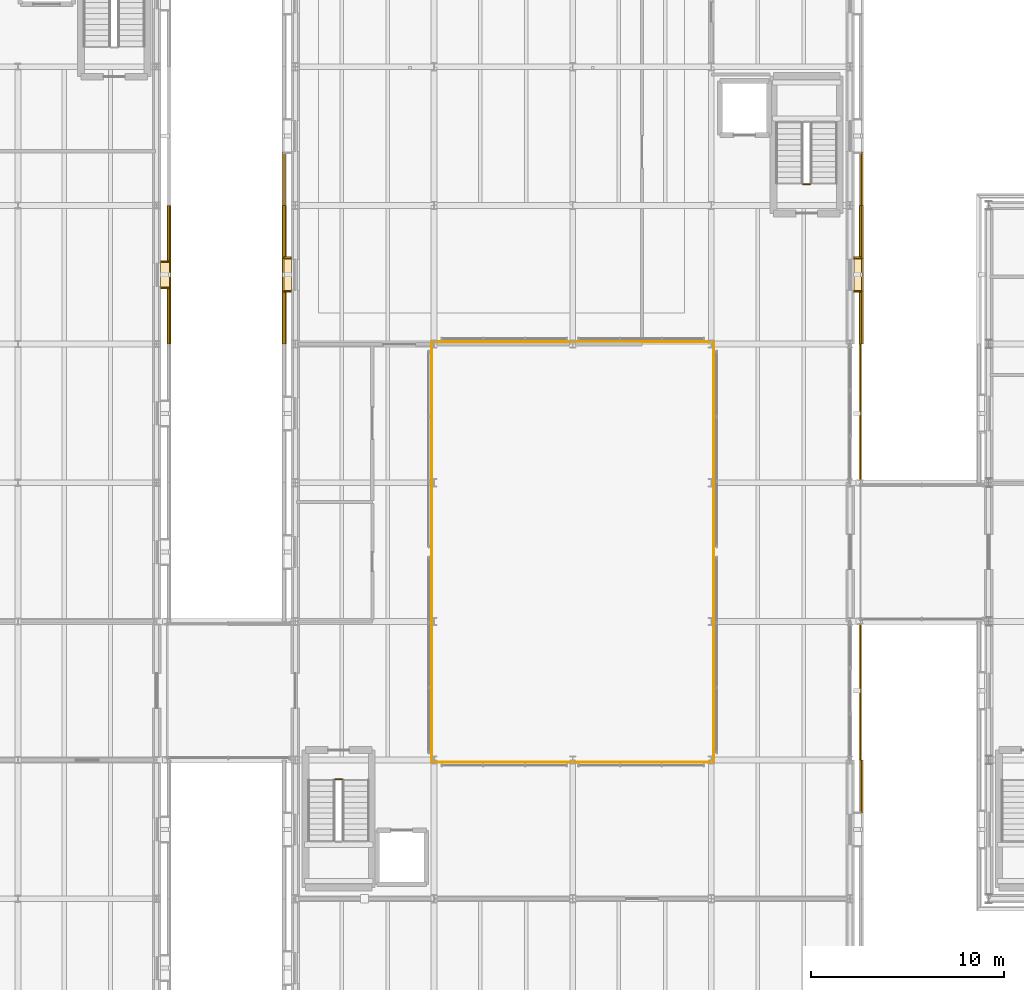
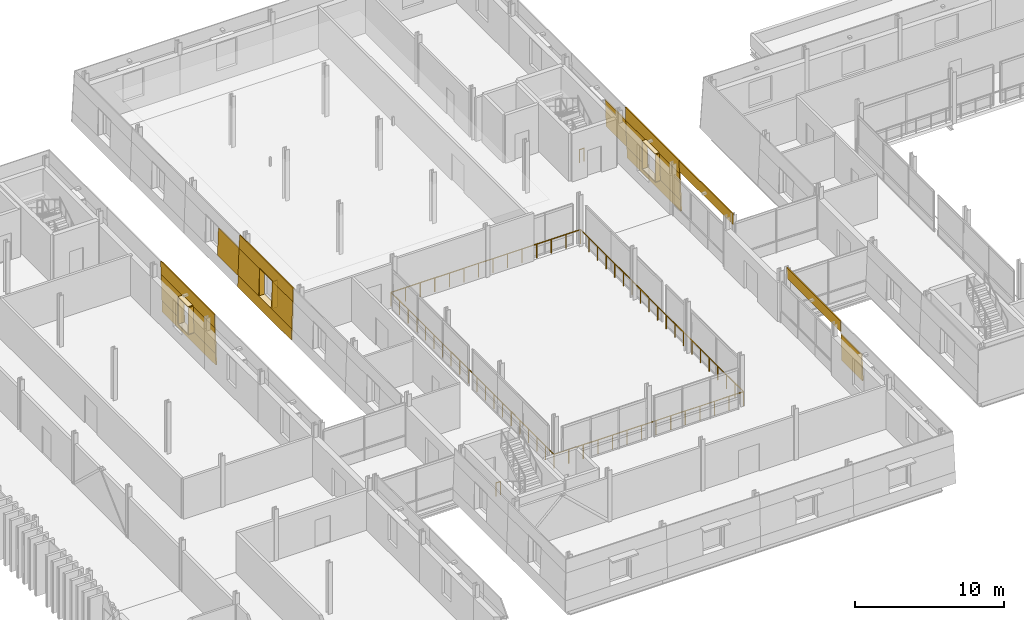
# One storey, part 101 of 115: 29 coverings, 6 railings.
"""IFC4 building model written with IfcOpenShell, lengths in metres."""

from ifc_helpers import new_model, si_unit, direction, frame, origin, origin_2d, place, context, subcontext, project, spatial, polyline, circle, outline, extrude, material, layer, layer_set, type_object, element, save


model = new_model("IFC4")

# Units and contexts
model_context = context("Model", 3, precision=1e-05, world=origin(), true_north=direction((0.0, 1.0)))
body_context = subcontext(model_context, "Body", "Model", "MODEL_VIEW")
ifc_project = project(units=[si_unit("LENGTHUNIT", "METRE"), si_unit("AREAUNIT", "SQUARE_METRE"), si_unit("VOLUMEUNIT", "CUBIC_METRE"), si_unit("PLANEANGLEUNIT", "RADIAN"), si_unit("MASSUNIT", "GRAM", prefix="KILO")], contexts=[model_context])

# Site, building, storey
site_placement = place(None, origin())
site = spatial("IfcSite", under=ifc_project, at=site_placement, CompositionType="ELEMENT")
building_placement = place(site_placement, origin())
building = spatial("IfcBuilding", under=site, at=building_placement, Name="Narikvali Park Central Library", CompositionType="ELEMENT")
storey_placement = place(building_placement, frame((0.0, 0.0, 10.199951171875)))
storey = spatial("IfcBuildingStorey", under=building, at=storey_placement, Name="L02", CompositionType="ELEMENT", Elevation=10.199951171875)

# Railings
ifc_material_1 = material(Name="Laminated Tempered Glass and Stainless Steel", Category="steel")
ifc_layer_1 = layer(ifc_material_1, 0.06005859375, Name="Laminated Tempered Glass and Stainless Steel")
ifc_layer_set_1 = layer_set([ifc_layer_1], Name="Laminated Tempered Glass and Stainless Steel")
railing_type_1 = type_object("IfcRailingType", Name="Atrium Void Tempered Glass Guardrail 1150", PredefinedType="GUARDRAIL", material=ifc_layer_set_1)
railing_1_placement = place(storey_placement, frame((35.8798828125, 64.679931640625, 0.0)))
element("IfcRailing", 1, at=railing_1_placement, inside=storey, type_object=railing_type_1, Name="V4 L02 Void Edge Guardrail S", PredefinedType="GUARDRAIL", context=body_context, shape_type="SweptSolid", body=[
    extrude(circle(Radius=0.02392578125, at=origin_2d()), frame((0.0, 0.0, 1.1259765625), z_axis=(1.0, 0.0, 0.0), x_axis=(0.0, 1.0, 0.0)), (0.0, 0.0, 1.0), 14.64013671875),
    extrude(circle(Radius=0.02099609375, at=origin_2d()), origin(), (0.0, 0.0, 1.0), 1.101806640625),
    extrude(circle(Radius=0.02099609375, at=origin_2d()), frame((1.126220703125, 0.0, 0.0)), (0.0, 0.0, 1.0), 1.101806640625),
    extrude(circle(Radius=0.02099609375, at=origin_2d()), frame((2.25244140625, 0.0, 0.0)), (0.0, 0.0, 1.0), 1.101806640625),
    extrude(circle(Radius=0.02099609375, at=origin_2d()), frame((3.37841796875, 0.0, 0.0)), (0.0, 0.0, 1.0), 1.101806640625),
    extrude(circle(Radius=0.02099609375, at=origin_2d()), frame((4.504638671875, 0.0, 0.0)), (0.0, 0.0, 1.0), 1.101806640625),
    extrude(circle(Radius=0.02099609375, at=origin_2d()), frame((5.630859375, 0.0, 0.0)), (0.0, 0.0, 1.0), 1.101806640625),
    extrude(circle(Radius=0.02099609375, at=origin_2d()), frame((6.757080078125, 0.0, 0.0)), (0.0, 0.0, 1.0), 1.101806640625),
    extrude(circle(Radius=0.02099609375, at=origin_2d()), frame((7.883056640625, 0.0, 0.0)), (0.0, 0.0, 1.0), 1.101806640625),
    extrude(circle(Radius=0.02099609375, at=origin_2d()), frame((9.00927734375, 0.0, 0.0)), (0.0, 0.0, 1.0), 1.101806640625),
    extrude(circle(Radius=0.02099609375, at=origin_2d()), frame((10.135498046875, 0.0, 0.0)), (0.0, 0.0, 1.0), 1.101806640625),
    extrude(circle(Radius=0.02099609375, at=origin_2d()), frame((11.26171875, 0.0, 0.0)), (0.0, 0.0, 1.0), 1.101806640625),
    extrude(circle(Radius=0.02099609375, at=origin_2d()), frame((12.3876953125, 0.0, 0.0)), (0.0, 0.0, 1.0), 1.101806640625),
    extrude(circle(Radius=0.02099609375, at=origin_2d()), frame((13.513916015625, 0.0, 0.0)), (0.0, 0.0, 1.0), 1.101806640625),
    extrude(circle(Radius=0.02099609375, at=origin_2d()), frame((14.64013671875, 0.0, 0.0)), (0.0, 0.0, 1.0), 1.101806640625),
])
railing_2_placement = place(storey_placement, frame((50.52001953125, 64.679931640625, 0.0)))
element("IfcRailing", 2, at=railing_2_placement, inside=storey, type_object=railing_type_1, Name="V4 L02 Void Edge Guardrail E", PredefinedType="GUARDRAIL", context=body_context, shape_type="SweptSolid", body=[
    extrude(circle(Radius=0.02392578125, at=origin_2d()), frame((0.0, 0.0, 1.1259765625), z_axis=(0.0, 1.0, 0.0), x_axis=(-1.0, 0.0, 0.0)), (0.0, 0.0, 1.0), 21.840087890625),
    extrude(circle(Radius=0.02099609375, at=origin_2d()), origin(), (0.0, 0.0, 1.0), 1.101806640625),
    extrude(circle(Radius=0.02099609375, at=origin_2d()), frame((0.0, 1.1494140625, 0.0)), (0.0, 0.0, 1.0), 1.101806640625),
    extrude(circle(Radius=0.02099609375, at=origin_2d()), frame((0.0, 2.299072265625, 0.0)), (0.0, 0.0, 1.0), 1.101806640625),
    extrude(circle(Radius=0.02099609375, at=origin_2d()), frame((0.0, 3.448486328125, 0.0)), (0.0, 0.0, 1.0), 1.101806640625),
    extrude(circle(Radius=0.02099609375, at=origin_2d()), frame((0.0, 4.597900390625, 0.0)), (0.0, 0.0, 1.0), 1.101806640625),
    extrude(circle(Radius=0.02099609375, at=origin_2d()), frame((0.0, 5.747314453125, 0.0)), (0.0, 0.0, 1.0), 1.101806640625),
    extrude(circle(Radius=0.02099609375, at=origin_2d()), frame((0.0, 6.89697265625, 0.0)), (0.0, 0.0, 1.0), 1.101806640625),
    extrude(circle(Radius=0.02099609375, at=origin_2d()), frame((0.0, 8.04638671875, 0.0)), (0.0, 0.0, 1.0), 1.101806640625),
    extrude(circle(Radius=0.02099609375, at=origin_2d()), frame((0.0, 9.19580078125, 0.0)), (0.0, 0.0, 1.0), 1.101806640625),
    extrude(circle(Radius=0.02099609375, at=origin_2d()), frame((0.0, 10.34521484375, 0.0)), (0.0, 0.0, 1.0), 1.101806640625),
    extrude(circle(Radius=0.02099609375, at=origin_2d()), frame((0.0, 11.494873046875, 0.0)), (0.0, 0.0, 1.0), 1.101806640625),
    extrude(circle(Radius=0.02099609375, at=origin_2d()), frame((0.0, 12.644287109375, 0.0)), (0.0, 0.0, 1.0), 1.101806640625),
    extrude(circle(Radius=0.02099609375, at=origin_2d()), frame((0.0, 13.793701171875, 0.0)), (0.0, 0.0, 1.0), 1.101806640625),
    extrude(circle(Radius=0.02099609375, at=origin_2d()), frame((0.0, 14.943115234375, 0.0)), (0.0, 0.0, 1.0), 1.101806640625),
    extrude(circle(Radius=0.02099609375, at=origin_2d()), frame((0.0, 16.0927734375, 0.0)), (0.0, 0.0, 1.0), 1.101806640625),
    extrude(circle(Radius=0.02099609375, at=origin_2d()), frame((0.0, 17.2421875, 0.0)), (0.0, 0.0, 1.0), 1.101806640625),
    extrude(circle(Radius=0.02099609375, at=origin_2d()), frame((0.0, 18.3916015625, 0.0)), (0.0, 0.0, 1.0), 1.101806640625),
    extrude(circle(Radius=0.02099609375, at=origin_2d()), frame((0.0, 19.541015625, 0.0)), (0.0, 0.0, 1.0), 1.101806640625),
    extrude(circle(Radius=0.02099609375, at=origin_2d()), frame((0.0, 20.690673828125, 0.0)), (0.0, 0.0, 1.0), 1.101806640625),
    extrude(circle(Radius=0.02099609375, at=origin_2d()), frame((0.0, 21.840087890625, 0.0)), (0.0, 0.0, 1.0), 1.101806640625),
])
railing_3_placement = place(storey_placement, frame((50.52001953125, 86.52001953125, 0.0)))
element("IfcRailing", 3, at=railing_3_placement, inside=storey, type_object=railing_type_1, Name="V4 L02 Void Edge Guardrail N", PredefinedType="GUARDRAIL", context=body_context, shape_type="SweptSolid", body=[
    extrude(circle(Radius=0.02392578125, at=origin_2d()), frame((0.0, 0.0, 1.1259765625), z_axis=(-1.0, 0.0, 0.0), x_axis=(0.0, -1.0, 0.0)), (0.0, 0.0, 1.0), 14.64013671875),
    extrude(circle(Radius=0.02099609375, at=origin_2d()), origin(), (0.0, 0.0, 1.0), 1.101806640625),
    extrude(circle(Radius=0.02099609375, at=origin_2d()), frame((-1.126220703125, 0.0, 0.0)), (0.0, 0.0, 1.0), 1.101806640625),
    extrude(circle(Radius=0.02099609375, at=origin_2d()), frame((-2.25244140625, 0.0, 0.0)), (0.0, 0.0, 1.0), 1.101806640625),
    extrude(circle(Radius=0.02099609375, at=origin_2d()), frame((-3.37841796875, 0.0, 0.0)), (0.0, 0.0, 1.0), 1.101806640625),
    extrude(circle(Radius=0.02099609375, at=origin_2d()), frame((-4.504638671875, 0.0, 0.0)), (0.0, 0.0, 1.0), 1.101806640625),
    extrude(circle(Radius=0.02099609375, at=origin_2d()), frame((-5.630859375, 0.0, 0.0)), (0.0, 0.0, 1.0), 1.101806640625),
    extrude(circle(Radius=0.02099609375, at=origin_2d()), frame((-6.757080078125, 0.0, 0.0)), (0.0, 0.0, 1.0), 1.101806640625),
    extrude(circle(Radius=0.02099609375, at=origin_2d()), frame((-7.883056640625, 0.0, 0.0)), (0.0, 0.0, 1.0), 1.101806640625),
    extrude(circle(Radius=0.02099609375, at=origin_2d()), frame((-9.00927734375, 0.0, 0.0)), (0.0, 0.0, 1.0), 1.101806640625),
    extrude(circle(Radius=0.02099609375, at=origin_2d()), frame((-10.135498046875, 0.0, 0.0)), (0.0, 0.0, 1.0), 1.101806640625),
    extrude(circle(Radius=0.02099609375, at=origin_2d()), frame((-11.26171875, 0.0, 0.0)), (0.0, 0.0, 1.0), 1.101806640625),
    extrude(circle(Radius=0.02099609375, at=origin_2d()), frame((-12.3876953125, 0.0, 0.0)), (0.0, 0.0, 1.0), 1.101806640625),
    extrude(circle(Radius=0.02099609375, at=origin_2d()), frame((-13.513916015625, 0.0, 0.0)), (0.0, 0.0, 1.0), 1.101806640625),
    extrude(circle(Radius=0.02099609375, at=origin_2d()), frame((-14.64013671875, 0.0, 0.0)), (0.0, 0.0, 1.0), 1.101806640625),
])
railing_4_placement = place(storey_placement, frame((35.8798828125, 86.52001953125, 0.0)))
element("IfcRailing", 4, at=railing_4_placement, inside=storey, type_object=railing_type_1, Name="V4 L02 Void Edge Guardrail W", PredefinedType="GUARDRAIL", context=body_context, shape_type="SweptSolid", body=[
    extrude(circle(Radius=0.02392578125, at=origin_2d()), frame((0.0, 0.0, 1.1259765625), z_axis=(0.0, -1.0, 0.0), x_axis=(1.0, 0.0, 0.0)), (0.0, 0.0, 1.0), 21.840087890625),
    extrude(circle(Radius=0.02099609375, at=origin_2d()), origin(), (0.0, 0.0, 1.0), 1.101806640625),
    extrude(circle(Radius=0.02099609375, at=origin_2d()), frame((0.0, -1.1494140625, 0.0)), (0.0, 0.0, 1.0), 1.101806640625),
    extrude(circle(Radius=0.02099609375, at=origin_2d()), frame((0.0, -2.299072265625, 0.0)), (0.0, 0.0, 1.0), 1.101806640625),
    extrude(circle(Radius=0.02099609375, at=origin_2d()), frame((0.0, -3.448486328125, 0.0)), (0.0, 0.0, 1.0), 1.101806640625),
    extrude(circle(Radius=0.02099609375, at=origin_2d()), frame((0.0, -4.597900390625, 0.0)), (0.0, 0.0, 1.0), 1.101806640625),
    extrude(circle(Radius=0.02099609375, at=origin_2d()), frame((0.0, -5.747314453125, 0.0)), (0.0, 0.0, 1.0), 1.101806640625),
    extrude(circle(Radius=0.02099609375, at=origin_2d()), frame((0.0, -6.89697265625, 0.0)), (0.0, 0.0, 1.0), 1.101806640625),
    extrude(circle(Radius=0.02099609375, at=origin_2d()), frame((0.0, -8.04638671875, 0.0)), (0.0, 0.0, 1.0), 1.101806640625),
    extrude(circle(Radius=0.02099609375, at=origin_2d()), frame((0.0, -9.19580078125, 0.0)), (0.0, 0.0, 1.0), 1.101806640625),
    extrude(circle(Radius=0.02099609375, at=origin_2d()), frame((0.0, -10.34521484375, 0.0)), (0.0, 0.0, 1.0), 1.101806640625),
    extrude(circle(Radius=0.02099609375, at=origin_2d()), frame((0.0, -11.494873046875, 0.0)), (0.0, 0.0, 1.0), 1.101806640625),
    extrude(circle(Radius=0.02099609375, at=origin_2d()), frame((0.0, -12.644287109375, 0.0)), (0.0, 0.0, 1.0), 1.101806640625),
    extrude(circle(Radius=0.02099609375, at=origin_2d()), frame((0.0, -13.793701171875, 0.0)), (0.0, 0.0, 1.0), 1.101806640625),
    extrude(circle(Radius=0.02099609375, at=origin_2d()), frame((0.0, -14.943115234375, 0.0)), (0.0, 0.0, 1.0), 1.101806640625),
    extrude(circle(Radius=0.02099609375, at=origin_2d()), frame((0.0, -16.0927734375, 0.0)), (0.0, 0.0, 1.0), 1.101806640625),
    extrude(circle(Radius=0.02099609375, at=origin_2d()), frame((0.0, -17.2421875, 0.0)), (0.0, 0.0, 1.0), 1.101806640625),
    extrude(circle(Radius=0.02099609375, at=origin_2d()), frame((0.0, -18.3916015625, 0.0)), (0.0, 0.0, 1.0), 1.101806640625),
    extrude(circle(Radius=0.02099609375, at=origin_2d()), frame((0.0, -19.541015625, 0.0)), (0.0, 0.0, 1.0), 1.101806640625),
    extrude(circle(Radius=0.02099609375, at=origin_2d()), frame((0.0, -20.690673828125, 0.0)), (0.0, 0.0, 1.0), 1.101806640625),
    extrude(circle(Radius=0.02099609375, at=origin_2d()), frame((0.0, -21.840087890625, 0.0)), (0.0, 0.0, 1.0), 1.101806640625),
])

# Coverings
ifc_material_2 = material(Name="White Honed Limestone Cladding", Category="masonry")
ifc_layer_2 = layer(ifc_material_2, 0.0849609375, Name="White Honed Limestone Cladding")
ifc_layer_set_2 = layer_set([ifc_layer_2], Name="White Honed Limestone Cladding")
covering_type_1 = type_object("IfcCoveringType", Name="Battered White Limestone Facade Cladding Panel", PredefinedType="CLADDING", material=ifc_layer_set_2)
covering_1_placement = place(storey_placement, frame((58.265380859375, 62.0400390625, 0.920166015625), z_axis=(0.999435139525, 0.0, 0.033606574995), x_axis=(0.0, 1.0, 0.0)))
element("IfcCovering", 5, at=covering_1_placement, inside=storey, type_object=covering_type_1, Name="V4 L02 E Battered Limestone Jamb Pier R B02", PredefinedType="CLADDING", context=body_context, shape_type="SweptSolid", body=[
    extrude(outline(polyline([(0.0, 0.0), (2.760009765625, 0.0), (2.760009765625, 2.201194539668489), (0.0, 2.201194539668489), (0.0, 0.0)])), origin(), (0.0, 0.0, -1.0), 0.0849609375),
])
for number, where, z_axis, x_axis, name in (
    (6, (58.185302734375, 64.800048828125, 3.300048828125), (0.999425480231, 0.0, 0.033892616665), (0.0, 1.0, 0.0), "V4 L02 E Battered Limestone Spandrel Header B03"),
    (7, (58.185302734375, 79.199951171875, 3.300048828125), (0.999425480231, 0.0, 0.033892616665), (0.0, 1.0, 0.0), "V4 L02 E Battered Limestone Spandrel Header B05"),
):
    element("IfcCovering", number, at=place(storey_placement, frame(where, z_axis=z_axis, x_axis=x_axis)), inside=storey, type_object=covering_type_1, Name=name, PredefinedType="CLADDING", context=body_context, shape_type="SweptSolid", body=[
        extrude(outline(polyline([(0.0, 0.0), (7.199951171875, 0.0), (7.199951171875, 0.9004196526405666), (0.0, 0.9004196526405666), (0.0, 0.0)])), origin(), (0.0, 0.0, -1.0), 0.0849609375),
    ])
covering_2_placement = place(storey_placement, frame((58.29638671875, 86.39990234375, 0.0), z_axis=(0.999432774777, 0.0, 0.03367682738), x_axis=(0.0, 1.0, 0.0)))
element("IfcCovering", 8, at=covering_2_placement, inside=storey, type_object=covering_type_1, Name="V4 L02 E Battered Limestone Spandrel B06", PredefinedType="CLADDING", context=body_context, shape_type="SweptSolid", body=[
    extrude(outline(polyline([(0.0, 0.0), (7.2001953125, 0.0), (7.2001953125, 0.9206882532251457), (0.0, 0.9206882532251457), (0.0, 0.0)])), origin(), (0.0, 0.0, -1.0), 0.0849609375),
])
covering_3_placement = place(storey_placement, frame((58.19140625, 86.39990234375, 3.1201171875), z_axis=(0.999425428317, 0.0, 0.033894147467), x_axis=(0.0, 1.0, 0.0)))
element("IfcCovering", 9, at=covering_3_placement, inside=storey, type_object=covering_type_1, Name="V4 L02 E Battered Limestone Lintel B06", PredefinedType="CLADDING", context=body_context, shape_type="SweptSolid", body=[
    extrude(outline(polyline([(0.0, 0.0), (7.2001953125, 0.0), (7.2001953125, 1.0804547830976703), (0.0, 1.0804547830976703), (0.0, 0.0)])), origin(), (0.0, 0.0, -1.0), 0.0849609375),
])
for number, where, z_axis, x_axis, name in (
    (10, (58.265380859375, 86.39990234375, 0.920166015625), (0.999435139525, 0.0, 0.033606574995), (0.0, 1.0, 0.0), "V4 L02 E Battered Limestone Jamb Pier L B06"),
    (11, (58.265380859375, 90.840087890625, 0.920166015625), (0.999435139525, 0.0, 0.033606574995), (0.0, 1.0, 0.0), "V4 L02 E Battered Limestone Jamb Pier R B06"),
    (12, (58.265380859375, 93.60009765625, 0.920166015625), (0.999435139525, 0.0, 0.033606574995), (0.0, 1.0, 0.0), "V4 L02 E Battered Limestone Jamb Pier L B07"),
):
    element("IfcCovering", number, at=place(storey_placement, frame(where, z_axis=z_axis, x_axis=x_axis)), inside=storey, type_object=covering_type_1, Name=name, PredefinedType="CLADDING", context=body_context, shape_type="SweptSolid", body=[
        extrude(outline(polyline([(0.0, 0.0), (2.760009765625, 0.0), (2.760009765625, 2.201194539668489), (0.0, 2.201194539668489), (0.0, 0.0)])), origin(), (0.0, 0.0, -1.0), 0.0849609375),
    ])
covering_4_placement = place(storey_placement, frame((28.134521484375, 96.360107421875, 0.920166015625), z_axis=(-0.999431408105, 0.0, 0.033717361898), x_axis=(0.0, -1.0, 0.0)))
element("IfcCovering", 13, at=covering_4_placement, inside=storey, type_object=covering_type_1, Name="V4 L02 W Battered Limestone Jamb Pier R B03", PredefinedType="CLADDING", context=body_context, shape_type="SweptSolid", body=[
    extrude(outline(polyline([(0.0, 0.0), (2.760009765625, 0.0), (2.760009765625, 2.2012027579225295), (0.0, 2.2012027579225295), (0.0, 0.0)])), origin(), (0.0, 0.0, -1.0), 0.0849609375),
])
covering_5_placement = place(storey_placement, frame((28.103515625, 93.60009765625, 0.0), z_axis=(-0.999432774777, 0.0, 0.03367682738), x_axis=(0.0, -1.0, 0.0)))
element("IfcCovering", 14, at=covering_5_placement, inside=storey, type_object=covering_type_1, Name="V4 L02 W Battered Limestone Spandrel B04", PredefinedType="CLADDING", context=body_context, shape_type="SweptSolid", body=[
    extrude(outline(polyline([(0.0, 0.0), (7.2001953125, 0.0), (7.2001953125, 0.9206882532251457), (0.0, 0.9206882532251457), (0.0, 0.0)])), origin(), (0.0, 0.0, -1.0), 0.0849609375),
])
covering_6_placement = place(storey_placement, frame((28.208740234375, 93.60009765625, 3.1201171875), z_axis=(-0.999433057245, 0.0, 0.033668443484), x_axis=(0.0, -1.0, 0.0)))
element("IfcCovering", 15, at=covering_6_placement, inside=storey, type_object=covering_type_1, Name="V4 L02 W Battered Limestone Lintel B04", PredefinedType="CLADDING", context=body_context, shape_type="SweptSolid", body=[
    extrude(outline(polyline([(0.0, 0.0), (7.2001953125, 0.0), (7.2001953125, 1.0804465357109745), (0.0, 1.0804465357109745), (0.0, 0.0)])), origin(), (0.0, 0.0, -1.0), 0.0849609375),
])
for number, where, z_axis, x_axis, name in (
    (16, (28.134521484375, 93.60009765625, 0.920166015625), (-0.999431408105, 0.0, 0.033717361898), (0.0, -1.0, 0.0), "V4 L02 W Battered Limestone Jamb Pier L B04"),
    (17, (28.134521484375, 89.159912109375, 0.920166015625), (-0.999431408105, 0.0, 0.033717361898), (0.0, -1.0, 0.0), "V4 L02 W Battered Limestone Jamb Pier R B04"),
):
    element("IfcCovering", number, at=place(storey_placement, frame(where, z_axis=z_axis, x_axis=x_axis)), inside=storey, type_object=covering_type_1, Name=name, PredefinedType="CLADDING", context=body_context, shape_type="SweptSolid", body=[
        extrude(outline(polyline([(0.0, 0.0), (2.760009765625, 0.0), (2.760009765625, 2.2012027579225295), (0.0, 2.2012027579225295), (0.0, 0.0)])), origin(), (0.0, 0.0, -1.0), 0.0849609375),
    ])
covering_7_placement = place(storey_placement, frame((22.3505859375, 86.39990234375, 0.0), z_axis=(0.999600632529, 0.0, 0.02825907725), x_axis=(0.0, 1.0, 0.0)))
element("IfcCovering", 18, at=covering_7_placement, inside=storey, type_object=covering_type_1, Name="V5 L02 E Battered Limestone Spandrel B09", PredefinedType="CLADDING", context=body_context, shape_type="SweptSolid", body=[
    extrude(outline(polyline([(0.0, 0.0), (7.2001953125, 0.0), (7.2001953125, 0.950330703044192), (0.0, 0.950330703044192), (0.0, 0.0)])), origin(), (0.0, 0.0, -1.0), 0.0849609375),
])
covering_8_placement = place(storey_placement, frame((22.2626953125, 86.39990234375, 3.10009765625), z_axis=(0.999596598509, 0.0, 0.028401412788), x_axis=(0.0, 1.0, 0.0)))
element("IfcCovering", 19, at=covering_8_placement, inside=storey, type_object=covering_type_1, Name="V5 L02 E Battered Limestone Lintel B09", PredefinedType="CLADDING", context=body_context, shape_type="SweptSolid", body=[
    extrude(outline(polyline([(0.0, 0.0), (7.2001953125, 0.0), (7.2001953125, 1.1002973772270257), (0.0, 1.1002973772270257), (0.0, 0.0)])), origin(), (0.0, 0.0, -1.0), 0.0849609375),
])
for number, where, z_axis, x_axis, name in (
    (20, (22.32373046875, 86.39990234375, 0.949951171875), (0.99959734633, 0.0, 0.028375080797), (0.0, 1.0, 0.0), "V5 L02 E Battered Limestone Jamb Pier L B09"),
    (21, (22.32373046875, 90.639892578125, 0.949951171875), (0.99959734633, 0.0, 0.028375080797), (0.0, 1.0, 0.0), "V5 L02 E Battered Limestone Jamb Pier R B09"),
):
    element("IfcCovering", number, at=place(storey_placement, frame(where, z_axis=z_axis, x_axis=x_axis)), inside=storey, type_object=covering_type_1, Name=name, PredefinedType="CLADDING", context=body_context, shape_type="SweptSolid", body=[
        extrude(outline(polyline([(0.0, 0.0), (2.960205078125, 0.0), (2.960205078125, 2.1510125974918495), (0.0, 2.1510125974918495), (0.0, 0.0)])), origin(), (0.0, 0.0, -1.0), 0.0849609375),
    ])
ifc_layer_3 = layer(ifc_material_2, 0.080078125, Name="White Honed Limestone Cladding")
ifc_layer_set_3 = layer_set([ifc_layer_3], Name="White Honed Limestone Cladding")
covering_type_2 = type_object("IfcCoveringType", Name="Deep Carved White Limestone Window Reveal", PredefinedType="CLADDING", material=ifc_layer_set_3)
covering_9_placement = place(storey_placement, frame((0.0, 0.0, 3.1201171875)))
element("IfcCovering", 22, at=covering_9_placement, inside=storey, type_object=covering_type_2, Name="Deep Stone Reveal Head V4-RVL-L02-E-B06", PredefinedType="CLADDING", context=body_context, shape_type="SweptSolid", body=[
    extrude(outline(polyline([(57.804931640625, 89.1201171875), (57.804931640625, 90.8798828125), (58.19140625, 90.8798828125), (58.19140625, 89.1201171875), (57.804931640625, 89.1201171875)])), origin(), (0.0, 0.0, 1.0), 0.079833984375),
])
covering_10_placement = place(storey_placement, frame((0.0, 0.0, 0.840087890625)))
element("IfcCovering", 23, at=covering_10_placement, inside=storey, type_object=covering_type_2, Name="Deep Stone Reveal Sill V4-RVL-L02-E-B06", PredefinedType="CLADDING", context=body_context, shape_type="SweptSolid", body=[
    extrude(outline(polyline([(57.804931640625, 89.1201171875), (57.804931640625, 90.8798828125), (58.265380859375, 90.8798828125), (58.265380859375, 89.1201171875), (57.804931640625, 89.1201171875)])), origin(), (0.0, 0.0, 1.0), 0.080078125),
])
covering_11_placement = place(storey_placement, frame((0.0, 0.0, 0.920166015625)))
element("IfcCovering", 24, at=covering_11_placement, inside=storey, type_object=covering_type_2, Name="Deep Stone Reveal Jamb L V4-RVL-L02-E-B06", PredefinedType="CLADDING", context=body_context, shape_type="SweptSolid", body=[
    extrude(outline(polyline([(57.804931640625, 89.080078125), (57.804931640625, 89.159912109375), (58.19140625, 89.159912109375), (58.19140625, 89.080078125), (57.804931640625, 89.080078125)])), origin(), (0.0, 0.0, 1.0), 2.199951171875),
])
covering_12_placement = place(storey_placement, frame((0.0, 0.0, 0.920166015625)))
element("IfcCovering", 25, at=covering_12_placement, inside=storey, type_object=covering_type_2, Name="Deep Stone Reveal Jamb R V4-RVL-L02-E-B06", PredefinedType="CLADDING", context=body_context, shape_type="SweptSolid", body=[
    extrude(outline(polyline([(57.804931640625, 90.840087890625), (57.804931640625, 90.919921875), (58.19140625, 90.919921875), (58.19140625, 90.840087890625), (57.804931640625, 90.840087890625)])), origin(), (0.0, 0.0, 1.0), 2.199951171875),
])
covering_13_placement = place(storey_placement, frame((0.0, 0.0, 3.1201171875)))
element("IfcCovering", 26, at=covering_13_placement, inside=storey, type_object=covering_type_2, Name="Deep Stone Reveal Head V4-RVL-L02-W-B04", PredefinedType="CLADDING", context=body_context, shape_type="SweptSolid", body=[
    extrude(outline(polyline([(28.594970703125, 90.8798828125), (28.594970703125, 89.1201171875), (28.208740234375, 89.1201171875), (28.208740234375, 90.8798828125), (28.594970703125, 90.8798828125)])), origin(), (0.0, 0.0, 1.0), 0.079833984375),
])
covering_14_placement = place(storey_placement, frame((0.0, 0.0, 0.840087890625)))
element("IfcCovering", 27, at=covering_14_placement, inside=storey, type_object=covering_type_2, Name="Deep Stone Reveal Sill V4-RVL-L02-W-B04", PredefinedType="CLADDING", context=body_context, shape_type="SweptSolid", body=[
    extrude(outline(polyline([(28.594970703125, 90.8798828125), (28.594970703125, 89.1201171875), (28.134521484375, 89.1201171875), (28.134521484375, 90.8798828125), (28.594970703125, 90.8798828125)])), origin(), (0.0, 0.0, 1.0), 0.080078125),
])
covering_15_placement = place(storey_placement, frame((0.0, 0.0, 0.920166015625)))
element("IfcCovering", 28, at=covering_15_placement, inside=storey, type_object=covering_type_2, Name="Deep Stone Reveal Jamb L V4-RVL-L02-W-B04", PredefinedType="CLADDING", context=body_context, shape_type="SweptSolid", body=[
    extrude(outline(polyline([(28.594970703125, 90.919921875), (28.594970703125, 90.840087890625), (28.208740234375, 90.840087890625), (28.208740234375, 90.919921875), (28.594970703125, 90.919921875)])), origin(), (0.0, 0.0, 1.0), 2.199951171875),
])
covering_16_placement = place(storey_placement, frame((0.0, 0.0, 0.920166015625)))
element("IfcCovering", 29, at=covering_16_placement, inside=storey, type_object=covering_type_2, Name="Deep Stone Reveal Jamb R V4-RVL-L02-W-B04", PredefinedType="CLADDING", context=body_context, shape_type="SweptSolid", body=[
    extrude(outline(polyline([(28.594970703125, 89.159912109375), (28.594970703125, 89.080078125), (28.208740234375, 89.080078125), (28.208740234375, 89.159912109375), (28.594970703125, 89.159912109375)])), origin(), (0.0, 0.0, 1.0), 2.199951171875),
])
covering_17_placement = place(storey_placement, frame((0.0, 0.0, 3.10009765625)))
element("IfcCovering", 30, at=covering_17_placement, inside=storey, type_object=covering_type_2, Name="Deep Stone Reveal Head V5-RVL-L02-E-B09", PredefinedType="CLADDING", context=body_context, shape_type="SweptSolid", body=[
    extrude(outline(polyline([(21.804931640625, 89.320068359375), (21.804931640625, 90.679931640625), (22.2626953125, 90.679931640625), (22.2626953125, 89.320068359375), (21.804931640625, 89.320068359375)])), origin(), (0.0, 0.0, 1.0), 0.079833984375),
])
covering_18_placement = place(storey_placement, frame((0.0, 0.0, 0.8701171875)))
element("IfcCovering", 31, at=covering_18_placement, inside=storey, type_object=covering_type_2, Name="Deep Stone Reveal Sill V5-RVL-L02-E-B09", PredefinedType="CLADDING", context=body_context, shape_type="SweptSolid", body=[
    extrude(outline(polyline([(21.804931640625, 89.320068359375), (21.804931640625, 90.679931640625), (22.32373046875, 90.679931640625), (22.32373046875, 89.320068359375), (21.804931640625, 89.320068359375)])), origin(), (0.0, 0.0, 1.0), 0.079833984375),
])
covering_19_placement = place(storey_placement, frame((0.0, 0.0, 0.949951171875)))
element("IfcCovering", 32, at=covering_19_placement, inside=storey, type_object=covering_type_2, Name="Deep Stone Reveal Jamb L V5-RVL-L02-E-B09", PredefinedType="CLADDING", context=body_context, shape_type="SweptSolid", body=[
    extrude(outline(polyline([(21.804931640625, 89.280029296875), (21.804931640625, 89.360107421875), (22.2626953125, 89.360107421875), (22.2626953125, 89.280029296875), (21.804931640625, 89.280029296875)])), origin(), (0.0, 0.0, 1.0), 2.150146484375),
])
covering_20_placement = place(storey_placement, frame((0.0, 0.0, 0.949951171875)))
element("IfcCovering", 33, at=covering_20_placement, inside=storey, type_object=covering_type_2, Name="Deep Stone Reveal Jamb R V5-RVL-L02-E-B09", PredefinedType="CLADDING", context=body_context, shape_type="SweptSolid", body=[
    extrude(outline(polyline([(21.804931640625, 90.639892578125), (21.804931640625, 90.719970703125), (22.2626953125, 90.719970703125), (22.2626953125, 90.639892578125), (21.804931640625, 90.639892578125)])), origin(), (0.0, 0.0, 1.0), 2.150146484375),
])

# Railings
ifc_material_3 = material(Name="Powder-Coated Steel S275", Category="steel")
ifc_layer_4 = layer(ifc_material_3, 0.050048828125, Name="Powder-Coated Steel S275")
ifc_layer_set_4 = layer_set([ifc_layer_4], Name="Powder-Coated Steel S275")
railing_type_2 = type_object("IfcRailingType", Name="Stair Well Steel Guardrail 1100", PredefinedType="GUARDRAIL", material=ifc_layer_set_4)
railing_5_placement = place(storey_placement, frame((30.8701171875, 63.800048828125, 0.0)))
element("IfcRailing", 34, at=railing_5_placement, inside=storey, type_object=railing_type_2, Name="L02 ST-07 stair guard 4", PredefinedType="GUARDRAIL", context=body_context, shape_type="SweptSolid", body=[
    extrude(circle(Radius=0.02392578125, at=origin_2d()), frame((0.0, 0.0, 1.076171875), z_axis=(1.0, 0.0, 0.0), x_axis=(0.0, 1.0, 0.0)), (0.0, 0.0, 1.0), 0.35986328125),
    extrude(circle(Radius=0.02099609375, at=origin_2d()), origin(), (0.0, 0.0, 1.0), 1.052001953125),
    extrude(circle(Radius=0.02099609375, at=origin_2d()), frame((0.35986328125, 0.0, 0.0)), (0.0, 0.0, 1.0), 1.052001953125),
])
railing_6_placement = place(storey_placement, frame((55.530029296875, 94.699951171875, 0.0)))
element("IfcRailing", 35, at=railing_6_placement, inside=storey, type_object=railing_type_2, Name="L02 ST-08 stair guard 4", PredefinedType="GUARDRAIL", context=body_context, shape_type="SweptSolid", body=[
    extrude(circle(Radius=0.02392578125, at=origin_2d()), frame((0.0, 0.0, 1.076171875), z_axis=(-1.0, 0.0, 0.0), x_axis=(0.0, -1.0, 0.0)), (0.0, 0.0, 1.0), 0.360107421875),
    extrude(circle(Radius=0.02099609375, at=origin_2d()), origin(), (0.0, 0.0, 1.0), 1.052001953125),
    extrude(circle(Radius=0.02099609375, at=origin_2d()), frame((-0.360107421875, 0.0, 0.0)), (0.0, 0.0, 1.0), 1.052001953125),
])

save(model, "model.ifc")
